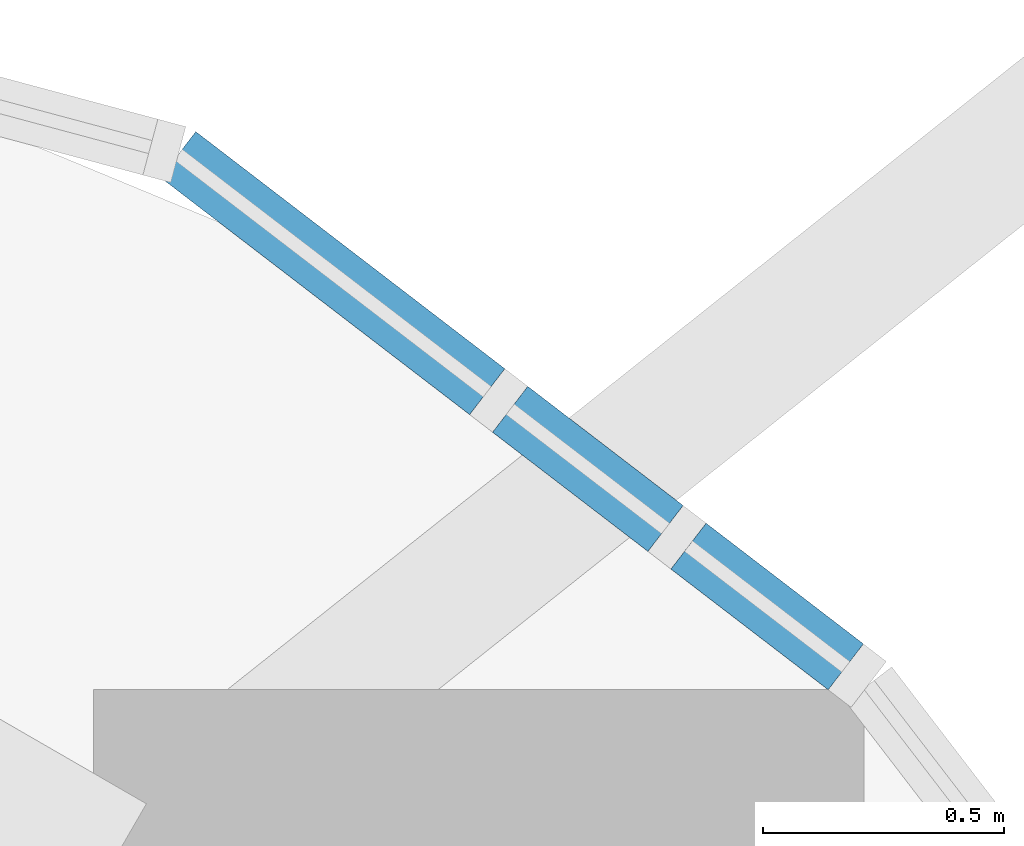
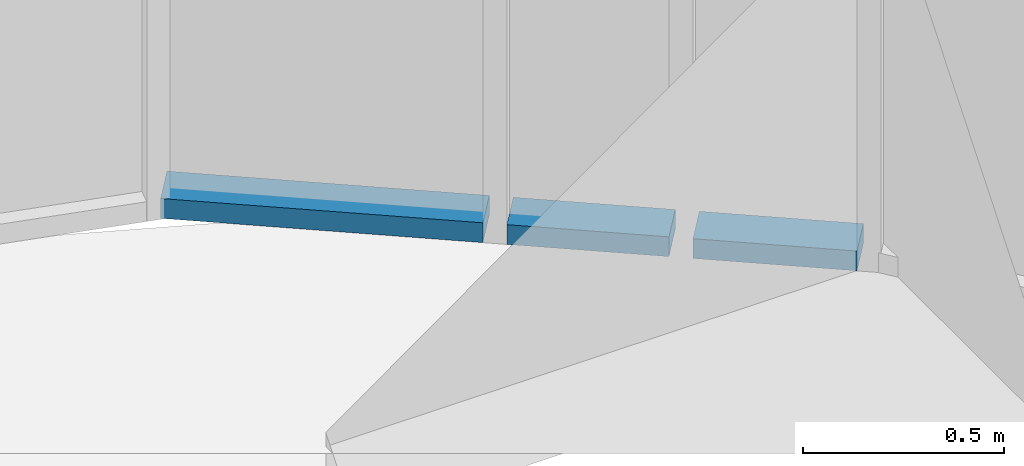
# One storey, part 17 of 33: 3 members, 3 elements without a shape of their own.
"""IFC4 building model written with IfcOpenShell, lengths in metres."""

from ifc_helpers import new_model, si_unit, direction, frame, origin, origin_2d, place, context, subcontext, project, spatial, rectangle, extrude, material, layer, layer_set, material_profile, profile_set, type_object, element, aggregate, save


model = new_model("IFC4")

# Units and contexts
model_context = context("Model", 3, precision=1e-05, world=origin(), true_north=direction((0.0, 1.0)))
body_context = subcontext(model_context, "Body", "Model", "MODEL_VIEW")
ifc_project = project(units=[si_unit("LENGTHUNIT", "METRE"), si_unit("AREAUNIT", "SQUARE_METRE"), si_unit("VOLUMEUNIT", "CUBIC_METRE"), si_unit("PLANEANGLEUNIT", "RADIAN"), si_unit("MASSUNIT", "GRAM", prefix="KILO")], contexts=[model_context])

# Site, building, storey
site_placement = place(None, origin())
site = spatial("IfcSite", under=ifc_project, at=site_placement, CompositionType="ELEMENT")
building_placement = place(site_placement, origin())
building = spatial("IfcBuilding", under=site, at=building_placement, Name="Marenta Gate Hotel Tower", CompositionType="ELEMENT")
storey_placement = place(building_placement, frame((0.0, 0.0, 122.89990234375)))
storey = spatial("IfcBuildingStorey", under=building, at=storey_placement, Name="L27", CompositionType="ELEMENT", Elevation=122.89990234375)

# Curtain wall, member
ifc_material_1 = material(Name="Tinted insulated glass in bronze anodised frame", Category="glass")
ifc_layer = layer(ifc_material_1, 0.1201171875)
ifc_layer_set = layer_set([ifc_layer], Name="Tinted insulated glass in bronze anodised frame")
curtain_wall_type = type_object("IfcCurtainWallType", Name="Tower unitised curtain wall CW1", PredefinedType="NOTDEFINED", material=ifc_layer_set)
curtain_wall_1_placement = place(storey_placement, origin())
curtain_wall_1 = element("IfcCurtainWall", 1, at=curtain_wall_1_placement, inside=storey, type_object=curtain_wall_type, Name="CW1 run G22", PredefinedType="NOTDEFINED")
ifc_material_2 = material(Name="Bronze anodised aluminium", Category="aluminium")
ifc_material_profile = material_profile(ifc_material_2, rectangle(XDim=0.1201171875, YDim=0.06005859375, at=origin_2d()), Name="Transom CW1 60x120 bronze anodised aluminium")
ifc_profile_set = profile_set([ifc_material_profile], Name="Bronze anodised aluminium")
member_type = type_object("IfcMemberType", Name="Transom CW1 60x120 bronze anodised aluminium", PredefinedType="USERDEFINED", material=ifc_profile_set)
member_1_placement = place(storey_placement, frame((25.597900390625, 26.382080078125, 0.030029296875), z_axis=(-0.793482352244, 0.608593260459, 0.0), x_axis=(-0.608593260459, -0.793482352244, 0.0)))
member_1 = element("IfcMember", 2, at=member_1_placement, type_object=member_type, Name="CW1 transom 1.1", ObjectType="TRANSOM", PredefinedType="USERDEFINED", context=body_context, shape_type="SweptSolid", body=[
    extrude(rectangle(XDim=0.1201171875, YDim=0.06005859375, at=origin_2d()), origin(), (0.0, 0.0, 1.0), 0.411865234375),
])
aggregate(curtain_wall_1, [member_1])

curtain_wall_2_placement = place(storey_placement, origin())
curtain_wall_2 = element("IfcCurtainWall", 3, at=curtain_wall_2_placement, inside=storey, type_object=curtain_wall_type, Name="CW1 run G23", PredefinedType="NOTDEFINED")
member_2_placement = place(storey_placement, frame((25.223388671875, 26.66943359375, 0.030029296875), z_axis=(-0.793471096038, 0.608607935992, 0.0), x_axis=(-0.608607935992, -0.793471096038, 0.0)))
member_2 = element("IfcMember", 4, at=member_2_placement, type_object=member_type, Name="CW1 transom 1.1", ObjectType="TRANSOM", PredefinedType="USERDEFINED", context=body_context, shape_type="SweptSolid", body=[
    extrude(rectangle(XDim=0.1201171875, YDim=0.06005859375, at=origin_2d()), origin(), (0.0, 0.0, 1.0), 0.40673828125),
])
aggregate(curtain_wall_2, [member_2])

curtain_wall_3_placement = place(storey_placement, origin())
curtain_wall_3 = element("IfcCurtainWall", 5, at=curtain_wall_3_placement, inside=storey, type_object=curtain_wall_type, Name="CW1 run G24", PredefinedType="NOTDEFINED")
member_3_placement = place(storey_placement, frame((24.85302734375, 26.95361328125, 0.030029296875), z_axis=(-0.793397450201, 0.608703939542, 0.0), x_axis=(-0.608703939542, -0.793397450201, 0.0)))
member_3 = element("IfcMember", 6, at=member_3_placement, type_object=member_type, Name="CW1 transom 1.1", ObjectType="TRANSOM", PredefinedType="USERDEFINED", context=body_context, shape_type="SweptSolid", body=[
    extrude(rectangle(XDim=0.1201171875, YDim=0.06005859375, at=origin_2d()), origin(), (0.0, 0.0, 1.0), 0.80908203125),
])
aggregate(curtain_wall_3, [member_3])

save(model, "model.ifc")
